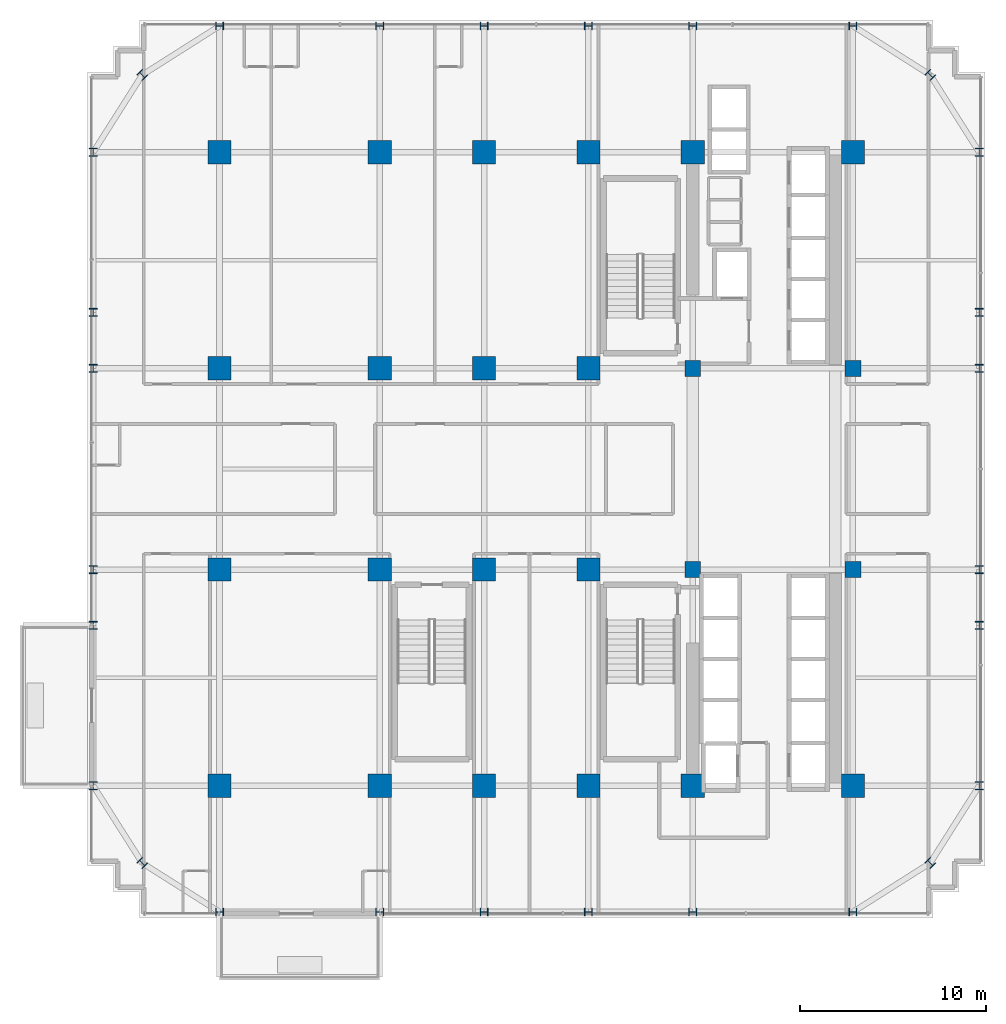
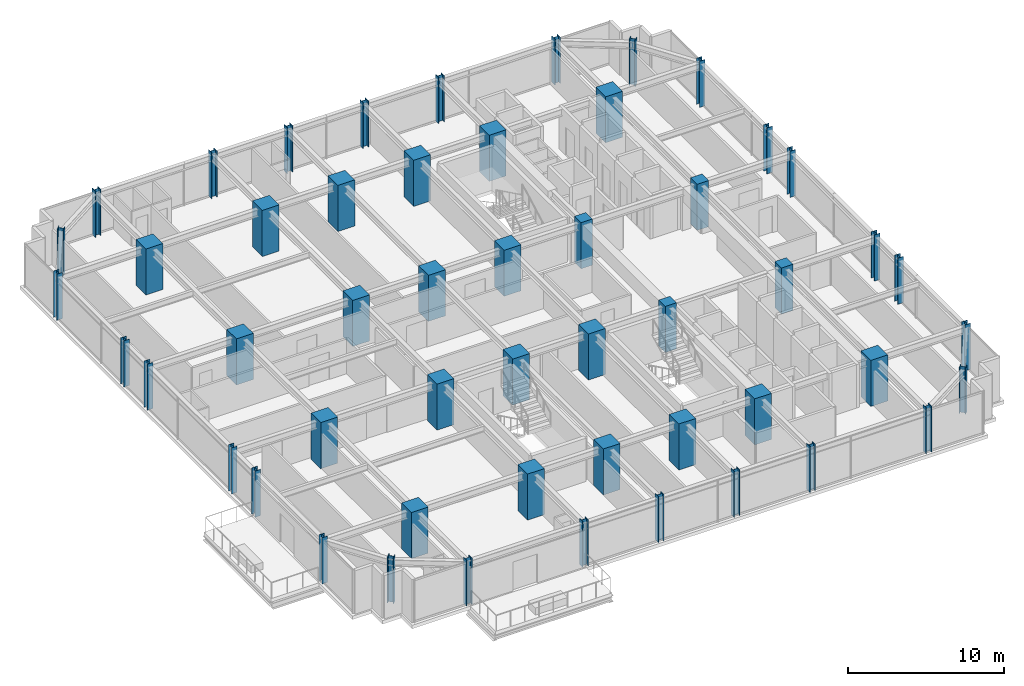
# One storey, part 1 of 32: 52 columns.
"""IFC4 building model written with IfcOpenShell, lengths in metres."""

from ifc_helpers import new_model, si_unit, direction, frame, origin, origin_2d, place, context, subcontext, project, spatial, rectangle, i_section, extrude, source, transform, mapped, material, material_profile, profile_set, type_object, element, save


model = new_model("IFC4")

# Units and contexts
model_context = context("Model", 3, precision=1e-05, world=origin(), true_north=direction((0.0, 1.0)))
body_context = subcontext(model_context, "Body", "Model", "MODEL_VIEW")
ifc_project = project(units=[si_unit("LENGTHUNIT", "METRE"), si_unit("AREAUNIT", "SQUARE_METRE"), si_unit("VOLUMEUNIT", "CUBIC_METRE"), si_unit("PLANEANGLEUNIT", "RADIAN"), si_unit("MASSUNIT", "GRAM", prefix="KILO")], contexts=[model_context])

# Site, building, storey
site_placement = place(None, origin())
site = spatial("IfcSite", under=ifc_project, at=site_placement, CompositionType="ELEMENT")
building_placement = place(site_placement, origin())
building = spatial("IfcBuilding", under=site, at=building_placement, Name="Nahalor Promenade Grand Hotel", CompositionType="ELEMENT")
storey_placement = place(building_placement, frame((0.0, 0.0, 110.199951171875)))
storey = spatial("IfcBuildingStorey", under=building, at=storey_placement, Name="L27", CompositionType="ELEMENT", Elevation=110.199951171875)

# Columns
ifc_material_1 = material(Name="Concrete B-70 (C60/75)", Category="concrete")
ifc_material_profile_1 = material_profile(ifc_material_1, rectangle(XDim=0.85, YDim=0.85, at=origin_2d()), Name="RC 850x850")
ifc_profile_set_1 = profile_set([ifc_material_profile_1], Name="Concrete B-70 (C60/75)")
column_type_1 = type_object("IfcColumnType", Name="Col-Pilaster-850", PredefinedType="PILASTER", material=ifc_profile_set_1)
shared_shape_1 = source(origin(), body_context, "Body", "SweptSolid", [
    extrude(rectangle(XDim=0.85, YDim=0.85, at=origin_2d()), origin(), (0.0, 0.0, 1.0), 3.60498046875),
])
for number, where, z_axis, x_axis, name in (
    (1, (8.39990234375, -5.39990234375, 0.0), (0.0, 0.0, 1.0), (1.0, 0.0, 0.0), "COL-L27-I41"),
    (2, (8.39990234375, 5.39990234375, 0.0), (0.0, 0.0, 1.0), (1.0, 0.0, 0.0), "COL-L27-I42"),
    (3, (17.0, -5.39990234375, 0.0), (0.0, 0.0, 1.0), (1.0, 0.0, 0.0), "COL-L27-I51"),
    (4, (17.0, 5.39990234375, 0.0), (0.0, 0.0, 1.0), (1.0, 0.0, 0.0), "COL-L27-I52"),
):
    element("IfcColumn", number, at=place(storey_placement, frame(where, z_axis=z_axis, x_axis=x_axis)), inside=storey, type_object=column_type_1, Name=name, PredefinedType="PILASTER", context=body_context, shape_type="MappedRepresentation", body=[
        mapped(shared_shape_1, transform((0.0, 0.0, 0.0), scale=1.0)),
    ])
ifc_material_2 = material(Name="Concrete B-60 (C50/60)", Category="concrete")
ifc_material_profile_2 = material_profile(ifc_material_2, rectangle(XDim=1.25, YDim=1.25, at=origin_2d()), Name="RC 1250x1250")
ifc_profile_set_2 = profile_set([ifc_material_profile_2], Name="Concrete B-60 (C50/60)")
column_type_2 = type_object("IfcColumnType", Name="Col-RC-1250", PredefinedType="COLUMN", material=ifc_profile_set_2)
shared_shape_2 = source(origin(), body_context, "Body", "SweptSolid", [
    extrude(rectangle(XDim=1.25, YDim=1.25, at=origin_2d()), origin(), (0.0, 0.0, 1.0), 3.60498046875),
])
for number, where, z_axis, x_axis, name in (
    (5, (-17.0, -17.0, 0.0), (0.0, 0.0, 1.0), (1.0, 0.0, 0.0), "COL-L27-I00"),
    (6, (-17.0, -5.39990234375, 0.0), (0.0, 0.0, 1.0), (1.0, 0.0, 0.0), "COL-L27-I01"),
    (7, (-17.0, 5.39990234375, 0.0), (0.0, 0.0, 1.0), (1.0, 0.0, 0.0), "COL-L27-I02"),
    (8, (-17.0, 17.0, 0.0), (0.0, 0.0, 1.0), (1.0, 0.0, 0.0), "COL-L27-I03"),
    (9, (-8.39990234375, -17.0, 0.0), (0.0, 0.0, 1.0), (1.0, 0.0, 0.0), "COL-L27-I10"),
    (10, (-8.39990234375, -5.39990234375, 0.0), (0.0, 0.0, 1.0), (1.0, 0.0, 0.0), "COL-L27-I11"),
    (11, (-8.39990234375, 5.39990234375, 0.0), (0.0, 0.0, 1.0), (1.0, 0.0, 0.0), "COL-L27-I12"),
    (12, (-8.39990234375, 17.0, 0.0), (0.0, 0.0, 1.0), (1.0, 0.0, 0.0), "COL-L27-I13"),
    (13, (-2.800048828125, -17.0, 0.0), (0.0, 0.0, 1.0), (1.0, 0.0, 0.0), "COL-L27-I20"),
    (14, (-2.800048828125, -5.39990234375, 0.0), (0.0, 0.0, 1.0), (1.0, 0.0, 0.0), "COL-L27-I21"),
    (15, (-2.800048828125, 5.39990234375, 0.0), (0.0, 0.0, 1.0), (1.0, 0.0, 0.0), "COL-L27-I22"),
    (16, (-2.800048828125, 17.0, 0.0), (0.0, 0.0, 1.0), (1.0, 0.0, 0.0), "COL-L27-I23"),
    (17, (2.800048828125, -17.0, 0.0), (0.0, 0.0, 1.0), (1.0, 0.0, 0.0), "COL-L27-I30"),
    (18, (2.800048828125, -5.39990234375, 0.0), (0.0, 0.0, 1.0), (1.0, 0.0, 0.0), "COL-L27-I31"),
    (19, (2.800048828125, 5.39990234375, 0.0), (0.0, 0.0, 1.0), (1.0, 0.0, 0.0), "COL-L27-I32"),
    (20, (2.800048828125, 17.0, 0.0), (0.0, 0.0, 1.0), (1.0, 0.0, 0.0), "COL-L27-I33"),
    (21, (8.39990234375, -17.0, 0.0), (0.0, 0.0, 1.0), (1.0, 0.0, 0.0), "COL-L27-I40"),
    (22, (8.39990234375, 17.0, 0.0), (0.0, 0.0, 1.0), (1.0, 0.0, 0.0), "COL-L27-I43"),
    (23, (17.0, -17.0, 0.0), (0.0, 0.0, 1.0), (1.0, 0.0, 0.0), "COL-L27-I50"),
    (24, (17.0, 17.0, 0.0), (0.0, 0.0, 1.0), (1.0, 0.0, 0.0), "COL-L27-I53"),
):
    element("IfcColumn", number, at=place(storey_placement, frame(where, z_axis=z_axis, x_axis=x_axis)), inside=storey, type_object=column_type_2, Name=name, PredefinedType="COLUMN", context=body_context, shape_type="MappedRepresentation", body=[
        mapped(shared_shape_2, transform((0.0, 0.0, 0.0), scale=1.0)),
    ])
ifc_material_3 = material(Name="Steel S355J2", Category="steel")
ifc_material_profile_3 = material_profile(ifc_material_3, i_section(OverallWidth=0.409, OverallDepth=0.43, WebThickness=0.0208, FlangeThickness=0.0335, at=origin_2d()), Name="HD 400x421")
ifc_profile_set_3 = profile_set([ifc_material_profile_3], Name="Steel S355J2")
column_type_3 = type_object("IfcColumnType", Name="Col-Steel-HD421", PredefinedType="COLUMN", material=ifc_profile_set_3)
shared_shape_3 = source(origin(), body_context, "Body", "SweptSolid", [
    extrude(i_section(OverallWidth=0.409, OverallDepth=0.43, WebThickness=0.0208, FlangeThickness=0.0335, at=origin_2d()), origin(), (0.0, 0.0, 1.0), 3.60498046875),
])
for number, where, z_axis, x_axis, name in (
    (25, (-23.780029296875, -17.0, 0.0), (0.0, 0.0, 1.0), (1.0, 0.0, 0.0), "COL-L27-PW-W0"),
    (26, (23.780029296875, -17.0, 0.0), (0.0, 0.0, 1.0), (1.0, 0.0, 0.0), "COL-L27-PW-E0"),
    (27, (-23.780029296875, -8.39990234375, 0.0), (0.0, 0.0, 1.0), (1.0, 0.0, 0.0), "COL-L27-PW-W1"),
    (28, (23.780029296875, -8.39990234375, 0.0), (0.0, 0.0, 1.0), (1.0, 0.0, 0.0), "COL-L27-PW-E1"),
    (29, (-23.780029296875, -5.39990234375, 0.0), (0.0, 0.0, 1.0), (1.0, 0.0, 0.0), "COL-L27-PW-W2"),
    (30, (23.780029296875, -5.39990234375, 0.0), (0.0, 0.0, 1.0), (1.0, 0.0, 0.0), "COL-L27-PW-E2"),
    (31, (-23.780029296875, 5.39990234375, 0.0), (0.0, 0.0, 1.0), (1.0, 0.0, 0.0), "COL-L27-PW-W3"),
    (32, (23.780029296875, 5.39990234375, 0.0), (0.0, 0.0, 1.0), (1.0, 0.0, 0.0), "COL-L27-PW-E3"),
    (33, (-23.780029296875, 8.39990234375, 0.0), (0.0, 0.0, 1.0), (1.0, 0.0, 0.0), "COL-L27-PW-W4"),
    (34, (23.780029296875, 8.39990234375, 0.0), (0.0, 0.0, 1.0), (1.0, 0.0, 0.0), "COL-L27-PW-E4"),
    (35, (-23.780029296875, 17.0, 0.0), (0.0, 0.0, 1.0), (1.0, 0.0, 0.0), "COL-L27-PW-W5"),
    (36, (23.780029296875, 17.0, 0.0), (0.0, 0.0, 1.0), (1.0, 0.0, 0.0), "COL-L27-PW-E5"),
    (37, (-17.0, -23.780029296875, 0.0), (0.0, 0.0, 1.0), (0.0, 1.0, 0.0), "COL-L27-PN-S0"),
    (38, (-17.0, 23.780029296875, 0.0), (0.0, 0.0, 1.0), (0.0, 1.0, 0.0), "COL-L27-PN-N0"),
    (39, (-8.39990234375, -23.780029296875, 0.0), (0.0, 0.0, 1.0), (0.0, 1.0, 0.0), "COL-L27-PN-S1"),
    (40, (-8.39990234375, 23.780029296875, 0.0), (0.0, 0.0, 1.0), (0.0, 1.0, 0.0), "COL-L27-PN-N1"),
    (41, (-2.800048828125, -23.780029296875, 0.0), (0.0, 0.0, 1.0), (0.0, 1.0, 0.0), "COL-L27-PN-S2"),
    (42, (-2.800048828125, 23.780029296875, 0.0), (0.0, 0.0, 1.0), (0.0, 1.0, 0.0), "COL-L27-PN-N2"),
    (43, (2.800048828125, -23.780029296875, 0.0), (0.0, 0.0, 1.0), (0.0, 1.0, 0.0), "COL-L27-PN-S3"),
    (44, (2.800048828125, 23.780029296875, 0.0), (0.0, 0.0, 1.0), (0.0, 1.0, 0.0), "COL-L27-PN-N3"),
    (45, (8.39990234375, -23.780029296875, 0.0), (0.0, 0.0, 1.0), (0.0, 1.0, 0.0), "COL-L27-PN-S4"),
    (46, (8.39990234375, 23.780029296875, 0.0), (0.0, 0.0, 1.0), (0.0, 1.0, 0.0), "COL-L27-PN-N4"),
    (47, (17.0, -23.780029296875, 0.0), (0.0, 0.0, 1.0), (0.0, 1.0, 0.0), "COL-L27-PN-S5"),
    (48, (17.0, 23.780029296875, 0.0), (0.0, 0.0, 1.0), (0.0, 1.0, 0.0), "COL-L27-PN-N5"),
    (49, (-21.14990234375, -21.14990234375, 0.0), (0.0, 0.0, 1.0), (0.707106781187, 0.707106781187, 0.0), "COL-L27-CRN-SW"),
    (50, (-21.14990234375, 21.14990234375, 0.0), (0.0, 0.0, 1.0), (0.707106781187, 0.707106781187, 0.0), "COL-L27-CRN-NW"),
    (51, (21.14990234375, -21.14990234375, 0.0), (0.0, 0.0, 1.0), (0.707106781187, 0.707106781187, 0.0), "COL-L27-CRN-SE"),
    (52, (21.14990234375, 21.14990234375, 0.0), (0.0, 0.0, 1.0), (0.707106781187, 0.707106781187, 0.0), "COL-L27-CRN-NE"),
):
    element("IfcColumn", number, at=place(storey_placement, frame(where, z_axis=z_axis, x_axis=x_axis)), inside=storey, type_object=column_type_3, Name=name, PredefinedType="COLUMN", context=body_context, shape_type="MappedRepresentation", body=[
        mapped(shared_shape_3, transform((0.0, 0.0, 0.0), scale=1.0)),
    ])

save(model, "model.ifc")
